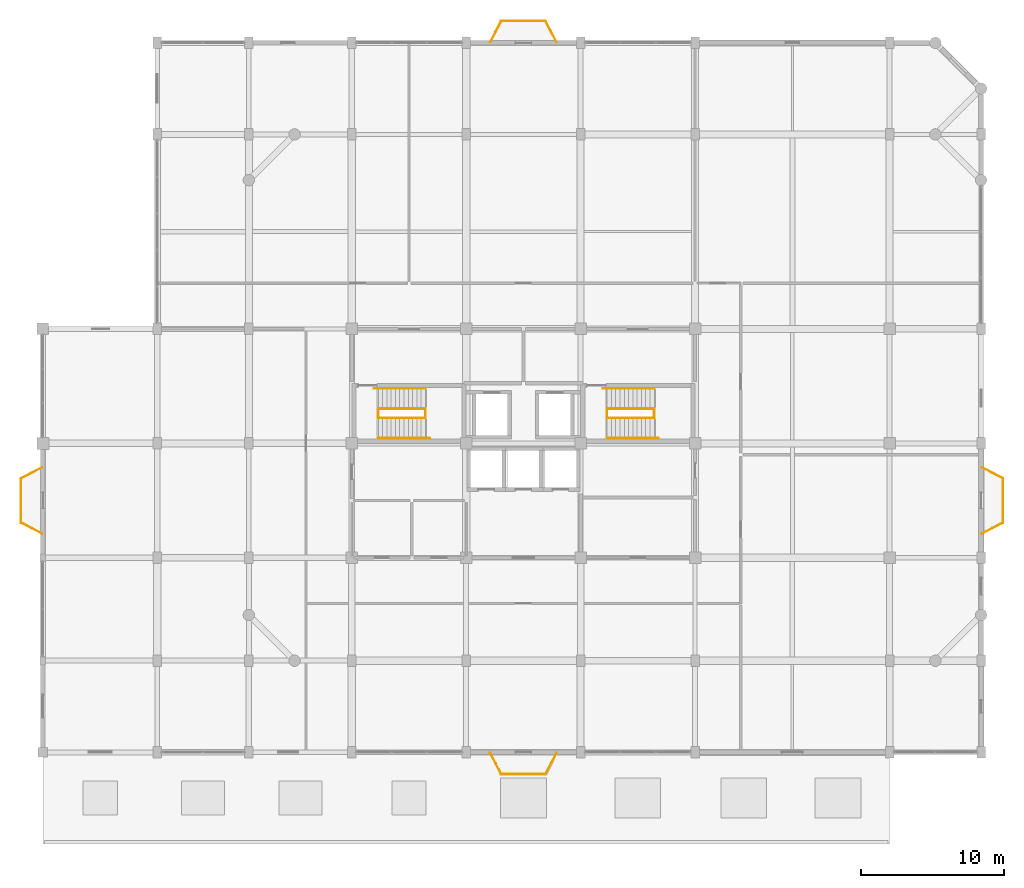
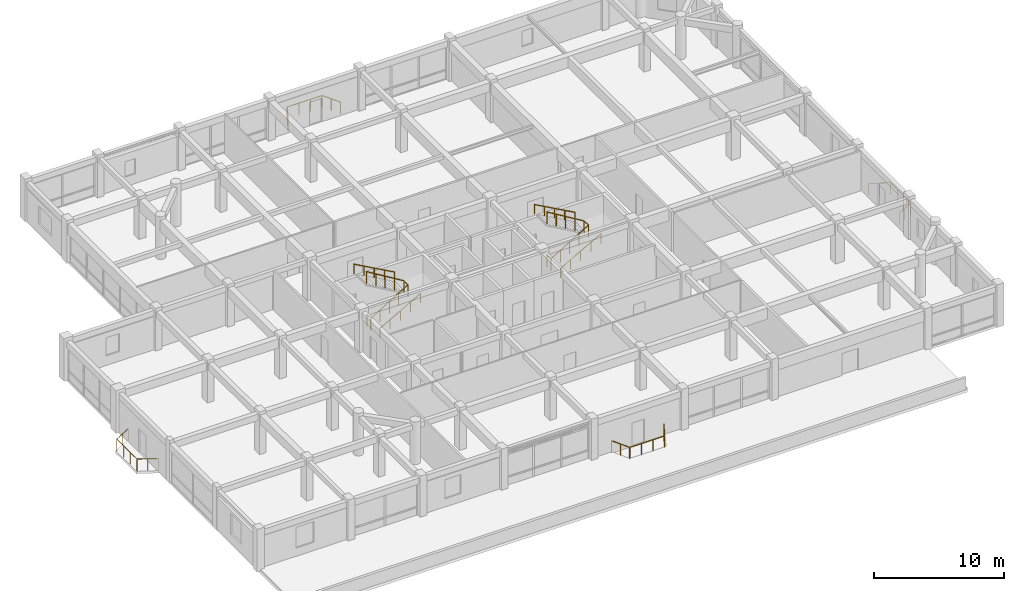
# One storey, part 20 of 20: 12 railings.
"""IFC4 building model written with IfcOpenShell, lengths in metres."""

from ifc_helpers import new_model, si_unit, direction, frame, origin, origin_2d, place, context, subcontext, project, spatial, circle, extrude, material, type_object, element, save


model = new_model("IFC4")

# Units and contexts
model_context = context("Model", 3, precision=1e-05, world=origin(), true_north=direction((0.0, 1.0)))
body_context = subcontext(model_context, "Body", "Model", "MODEL_VIEW")
ifc_project = project(units=[si_unit("LENGTHUNIT", "METRE"), si_unit("AREAUNIT", "SQUARE_METRE"), si_unit("VOLUMEUNIT", "CUBIC_METRE"), si_unit("PLANEANGLEUNIT", "RADIAN"), si_unit("MASSUNIT", "GRAM", prefix="KILO")], contexts=[model_context])

# Site, building, storey
site_placement = place(None, origin())
site = spatial("IfcSite", under=ifc_project, at=site_placement, CompositionType="ELEMENT")
building_placement = place(site_placement, origin())
building = spatial("IfcBuilding", under=site, at=building_placement, Name="Vellmiral Cinema and Media Centre", CompositionType="ELEMENT")
storey_placement = place(building_placement, frame((0.0, 0.0, 23.800048828125)))
storey = spatial("IfcBuildingStorey", under=building, at=storey_placement, Name="L05", CompositionType="ELEMENT", Elevation=23.800048828125)

# Railings
ifc_material_1 = material(Name="Forged Wrought-Iron Mirador Guardrail", Category="steel")
railing_type_1 = type_object("IfcRailingType", Name="RL-BAL-MIRA-1120", PredefinedType="BALUSTRADE", material=ifc_material_1)
railing_1_placement = place(storey_placement, frame((168.050048828125, 80.8798828125, 0.0)))
element("IfcRailing", 1, at=railing_1_placement, inside=storey, type_object=railing_type_1, Name="Mirador Balcony Guardrail L05-E", PredefinedType="BALUSTRADE", context=body_context, shape_type="SweptSolid", body=[
    extrude(circle(Radius=0.02392578125, at=origin_2d()), frame((0.0, 0.0, 1.09619140625), z_axis=(0.885822896277, 0.464023486939, 0.0), x_axis=(-0.464023486939, 0.885822896277, 0.0)), (0.0, 0.0, 1.0), 1.659423828125),
    extrude(circle(Radius=0.02392578125, at=origin_2d()), frame((1.469970703125, 0.77001953125, 1.09619140625), z_axis=(0.0, 1.0, 0.0), x_axis=(-1.0, 0.0, 0.0)), (0.0, 0.0, 1.0), 3.10009765625),
    extrude(circle(Radius=0.02392578125, at=origin_2d()), frame((1.469970703125, 3.8701171875, 1.09619140625), z_axis=(-0.885822896277, 0.464023486939, 0.0), x_axis=(-0.464023486939, -0.885822896277, 0.0)), (0.0, 0.0, 1.0), 1.659423828125),
    extrude(circle(Radius=0.02099609375, at=origin_2d()), origin(), (0.0, 0.0, 1.0), 1.072021484375),
    extrude(circle(Radius=0.02099609375, at=origin_2d()), frame((0.73486328125, 0.385009765625, 0.0)), (0.0, 0.0, 1.0), 1.072021484375),
    extrude(circle(Radius=0.02099609375, at=origin_2d()), frame((1.469970703125, 0.77001953125, 0.0)), (0.0, 0.0, 1.0), 1.072021484375),
    extrude(circle(Radius=0.02099609375, at=origin_2d()), frame((1.469970703125, 1.803466796875, 0.0)), (0.0, 0.0, 1.0), 1.072021484375),
    extrude(circle(Radius=0.02099609375, at=origin_2d()), frame((1.469970703125, 2.836669921875, 0.0)), (0.0, 0.0, 1.0), 1.072021484375),
    extrude(circle(Radius=0.02099609375, at=origin_2d()), frame((1.469970703125, 3.8701171875, 0.0)), (0.0, 0.0, 1.0), 1.072021484375),
    extrude(circle(Radius=0.02099609375, at=origin_2d()), frame((0.73486328125, 4.255126953125, 0.0)), (0.0, 0.0, 1.0), 1.072021484375),
    extrude(circle(Radius=0.02099609375, at=origin_2d()), frame((0.0, 4.64013671875, 0.0)), (0.0, 0.0, 1.0), 1.072021484375),
])
railing_2_placement = place(storey_placement, frame((138.320068359375, 115.25, 0.0)))
element("IfcRailing", 2, at=railing_2_placement, inside=storey, type_object=railing_type_1, Name="Mirador Balcony Guardrail L05-N", PredefinedType="BALUSTRADE", context=body_context, shape_type="SweptSolid", body=[
    extrude(circle(Radius=0.02392578125, at=origin_2d()), frame((0.0, 0.0, 1.09619140625), z_axis=(-0.464023486939, 0.885822896277, 0.0), x_axis=(-0.885822896277, -0.464023486939, 0.0)), (0.0, 0.0, 1.0), 1.659423828125),
    extrude(circle(Radius=0.02392578125, at=origin_2d()), frame((-0.77001953125, 1.469970703125, 1.09619140625), z_axis=(-1.0, 0.0, 0.0), x_axis=(0.0, -1.0, 0.0)), (0.0, 0.0, 1.0), 3.10009765625),
    extrude(circle(Radius=0.02392578125, at=origin_2d()), frame((-3.8701171875, 1.469970703125, 1.09619140625), z_axis=(-0.464023486939, -0.885822896277, 0.0), x_axis=(0.885822896277, -0.464023486939, 0.0)), (0.0, 0.0, 1.0), 1.659423828125),
    extrude(circle(Radius=0.02099609375, at=origin_2d()), origin(), (0.0, 0.0, 1.0), 1.072021484375),
    extrude(circle(Radius=0.02099609375, at=origin_2d()), frame((-0.385009765625, 0.73486328125, 0.0)), (0.0, 0.0, 1.0), 1.072021484375),
    extrude(circle(Radius=0.02099609375, at=origin_2d()), frame((-0.77001953125, 1.469970703125, 0.0)), (0.0, 0.0, 1.0), 1.072021484375),
    extrude(circle(Radius=0.02099609375, at=origin_2d()), frame((-1.803466796875, 1.469970703125, 0.0)), (0.0, 0.0, 1.0), 1.072021484375),
    extrude(circle(Radius=0.02099609375, at=origin_2d()), frame((-2.836669921875, 1.469970703125, 0.0)), (0.0, 0.0, 1.0), 1.072021484375),
    extrude(circle(Radius=0.02099609375, at=origin_2d()), frame((-3.8701171875, 1.469970703125, 0.0)), (0.0, 0.0, 1.0), 1.072021484375),
    extrude(circle(Radius=0.02099609375, at=origin_2d()), frame((-4.255126953125, 0.73486328125, 0.0)), (0.0, 0.0, 1.0), 1.072021484375),
    extrude(circle(Radius=0.02099609375, at=origin_2d()), frame((-4.64013671875, 0.0, 0.0)), (0.0, 0.0, 1.0), 1.072021484375),
])
railing_3_placement = place(storey_placement, frame((102.35009765625, 85.52001953125, 0.0)))
element("IfcRailing", 3, at=railing_3_placement, inside=storey, type_object=railing_type_1, Name="Mirador Balcony Guardrail L05-W", PredefinedType="BALUSTRADE", context=body_context, shape_type="SweptSolid", body=[
    extrude(circle(Radius=0.02392578125, at=origin_2d()), frame((0.0, 0.0, 1.09619140625), z_axis=(-0.885854568118, -0.463963020233, 0.0), x_axis=(0.463963020233, -0.885854568118, 0.0)), (0.0, 0.0, 1.0), 1.65966796875),
    extrude(circle(Radius=0.02392578125, at=origin_2d()), frame((-1.47021484375, -0.77001953125, 1.09619140625), z_axis=(0.0, -1.0, 0.0), x_axis=(1.0, 0.0, 0.0)), (0.0, 0.0, 1.0), 3.10009765625),
    extrude(circle(Radius=0.02392578125, at=origin_2d()), frame((-1.47021484375, -3.8701171875, 1.09619140625), z_axis=(0.885854568118, -0.463963020233, 0.0), x_axis=(0.463963020233, 0.885854568118, 0.0)), (0.0, 0.0, 1.0), 1.65966796875),
    extrude(circle(Radius=0.02099609375, at=origin_2d()), origin(), (0.0, 0.0, 1.0), 1.072021484375),
    extrude(circle(Radius=0.02099609375, at=origin_2d()), frame((-0.735107421875, -0.385009765625, 0.0)), (0.0, 0.0, 1.0), 1.072021484375),
    extrude(circle(Radius=0.02099609375, at=origin_2d()), frame((-1.47021484375, -0.77001953125, 0.0)), (0.0, 0.0, 1.0), 1.072021484375),
    extrude(circle(Radius=0.02099609375, at=origin_2d()), frame((-1.47021484375, -1.803466796875, 0.0)), (0.0, 0.0, 1.0), 1.072021484375),
    extrude(circle(Radius=0.02099609375, at=origin_2d()), frame((-1.47021484375, -2.836669921875, 0.0)), (0.0, 0.0, 1.0), 1.072021484375),
    extrude(circle(Radius=0.02099609375, at=origin_2d()), frame((-1.47021484375, -3.8701171875, 0.0)), (0.0, 0.0, 1.0), 1.072021484375),
    extrude(circle(Radius=0.02099609375, at=origin_2d()), frame((-0.735107421875, -4.255126953125, 0.0)), (0.0, 0.0, 1.0), 1.072021484375),
    extrude(circle(Radius=0.02099609375, at=origin_2d()), frame((0.0, -4.64013671875, 0.0)), (0.0, 0.0, 1.0), 1.072021484375),
])
railing_4_placement = place(storey_placement, frame((133.679931640625, 65.550048828125, 0.0)))
element("IfcRailing", 4, at=railing_4_placement, inside=storey, type_object=railing_type_1, Name="Mirador Balcony Guardrail L05-S", PredefinedType="BALUSTRADE", context=body_context, shape_type="SweptSolid", body=[
    extrude(circle(Radius=0.02392578125, at=origin_2d()), frame((0.0, 0.0, 1.09619140625), z_axis=(0.464023486939, -0.885822896277, 0.0), x_axis=(0.885822896277, 0.464023486939, 0.0)), (0.0, 0.0, 1.0), 1.659423828125),
    extrude(circle(Radius=0.02392578125, at=origin_2d()), frame((0.77001953125, -1.469970703125, 1.09619140625), z_axis=(1.0, 0.0, 0.0), x_axis=(0.0, 1.0, 0.0)), (0.0, 0.0, 1.0), 3.10009765625),
    extrude(circle(Radius=0.02392578125, at=origin_2d()), frame((3.8701171875, -1.469970703125, 1.09619140625), z_axis=(0.464023486939, 0.885822896277, 0.0), x_axis=(-0.885822896277, 0.464023486939, 0.0)), (0.0, 0.0, 1.0), 1.659423828125),
    extrude(circle(Radius=0.02099609375, at=origin_2d()), origin(), (0.0, 0.0, 1.0), 1.072021484375),
    extrude(circle(Radius=0.02099609375, at=origin_2d()), frame((0.385009765625, -0.73486328125, 0.0)), (0.0, 0.0, 1.0), 1.072021484375),
    extrude(circle(Radius=0.02099609375, at=origin_2d()), frame((0.77001953125, -1.469970703125, 0.0)), (0.0, 0.0, 1.0), 1.072021484375),
    extrude(circle(Radius=0.02099609375, at=origin_2d()), frame((1.803466796875, -1.469970703125, 0.0)), (0.0, 0.0, 1.0), 1.072021484375),
    extrude(circle(Radius=0.02099609375, at=origin_2d()), frame((2.836669921875, -1.469970703125, 0.0)), (0.0, 0.0, 1.0), 1.072021484375),
    extrude(circle(Radius=0.02099609375, at=origin_2d()), frame((3.8701171875, -1.469970703125, 0.0)), (0.0, 0.0, 1.0), 1.072021484375),
    extrude(circle(Radius=0.02099609375, at=origin_2d()), frame((4.255126953125, -0.73486328125, 0.0)), (0.0, 0.0, 1.0), 1.072021484375),
    extrude(circle(Radius=0.02099609375, at=origin_2d()), frame((4.64013671875, 0.0, 0.0)), (0.0, 0.0, 1.0), 1.072021484375),
])
ifc_material_2 = material(Name="Brushed Stainless Steel Handrail", Category="steel")
railing_type_2 = type_object("IfcRailingType", Name="RL-HANDRAIL-900", PredefinedType="HANDRAIL", material=ifc_material_2)
railing_5_placement = place(storey_placement, frame((125.85009765625, 87.56005859375, 0.16650390625)))
element("IfcRailing", 5, at=railing_5_placement, inside=storey, type_object=railing_type_2, Name="Stair Wall Handrail ST-T1 L05-1", PredefinedType="HANDRAIL", context=body_context, shape_type="SweptSolid", body=[
    extrude(circle(Radius=0.02392578125, at=origin_2d()), frame((0.0, 0.0, 0.8759765625), z_axis=(0.874148886685, 0.0, 0.485658031857), x_axis=(0.0, 1.0, 0.0)), (0.0, 0.0, 1.0), 4.1181640625),
    extrude(circle(Radius=0.02099609375, at=origin_2d()), origin(), (0.0, 0.0, 1.0), 0.851806640625),
    extrude(circle(Radius=0.02099609375, at=origin_2d()), frame((0.89990234375, 0.0, 0.5)), (0.0, 0.0, 1.0), 0.851806640625),
    extrude(circle(Radius=0.02099609375, at=origin_2d()), frame((1.7998046875, 0.0, 1.0)), (0.0, 0.0, 1.0), 0.851806640625),
    extrude(circle(Radius=0.02099609375, at=origin_2d()), frame((2.699951171875, 0.0, 1.5)), (0.0, 0.0, 1.0), 0.851806640625),
    extrude(circle(Radius=0.02099609375, at=origin_2d()), frame((3.599853515625, 0.0, 2.0)), (0.0, 0.0, 1.0), 0.851806640625),
])
railing_6_placement = place(storey_placement, frame((129.14990234375, 91.0400390625, 2.16650390625)))
element("IfcRailing", 6, at=railing_6_placement, inside=storey, type_object=railing_type_2, Name="Stair Wall Handrail ST-T1 L05-2", PredefinedType="HANDRAIL", context=body_context, shape_type="SweptSolid", body=[
    extrude(circle(Radius=0.02392578125, at=origin_2d()), frame((0.0, 0.0, 0.8759765625), z_axis=(-0.874148886685, 0.0, 0.485658031857), x_axis=(0.0, -1.0, 0.0)), (0.0, 0.0, 1.0), 4.1181640625),
    extrude(circle(Radius=0.02099609375, at=origin_2d()), origin(), (0.0, 0.0, 1.0), 0.851806640625),
    extrude(circle(Radius=0.02099609375, at=origin_2d()), frame((-0.89990234375, 0.0, 0.5)), (0.0, 0.0, 1.0), 0.851806640625),
    extrude(circle(Radius=0.02099609375, at=origin_2d()), frame((-1.7998046875, 0.0, 1.0)), (0.0, 0.0, 1.0), 0.851806640625),
    extrude(circle(Radius=0.02099609375, at=origin_2d()), frame((-2.699951171875, 0.0, 1.5)), (0.0, 0.0, 1.0), 0.851806640625),
    extrude(circle(Radius=0.02099609375, at=origin_2d()), frame((-3.599853515625, 0.0, 2.0)), (0.0, 0.0, 1.0), 0.851806640625),
])
railing_7_placement = place(storey_placement, frame((141.85009765625, 87.56005859375, 0.16650390625)))
element("IfcRailing", 7, at=railing_7_placement, inside=storey, type_object=railing_type_2, Name="Stair Wall Handrail ST-T2 L05-1", PredefinedType="HANDRAIL", context=body_context, shape_type="SweptSolid", body=[
    extrude(circle(Radius=0.02392578125, at=origin_2d()), frame((0.0, 0.0, 0.8759765625), z_axis=(0.874148886685, 0.0, 0.485658031857), x_axis=(0.0, 1.0, 0.0)), (0.0, 0.0, 1.0), 4.1181640625),
    extrude(circle(Radius=0.02099609375, at=origin_2d()), origin(), (0.0, 0.0, 1.0), 0.851806640625),
    extrude(circle(Radius=0.02099609375, at=origin_2d()), frame((0.89990234375, 0.0, 0.5)), (0.0, 0.0, 1.0), 0.851806640625),
    extrude(circle(Radius=0.02099609375, at=origin_2d()), frame((1.7998046875, 0.0, 1.0)), (0.0, 0.0, 1.0), 0.851806640625),
    extrude(circle(Radius=0.02099609375, at=origin_2d()), frame((2.699951171875, 0.0, 1.5)), (0.0, 0.0, 1.0), 0.851806640625),
    extrude(circle(Radius=0.02099609375, at=origin_2d()), frame((3.599853515625, 0.0, 2.0)), (0.0, 0.0, 1.0), 0.851806640625),
])
railing_8_placement = place(storey_placement, frame((145.14990234375, 91.0400390625, 2.16650390625)))
element("IfcRailing", 8, at=railing_8_placement, inside=storey, type_object=railing_type_2, Name="Stair Wall Handrail ST-T2 L05-2", PredefinedType="HANDRAIL", context=body_context, shape_type="SweptSolid", body=[
    extrude(circle(Radius=0.02392578125, at=origin_2d()), frame((0.0, 0.0, 0.8759765625), z_axis=(-0.874148886685, 0.0, 0.485658031857), x_axis=(0.0, -1.0, 0.0)), (0.0, 0.0, 1.0), 4.1181640625),
    extrude(circle(Radius=0.02099609375, at=origin_2d()), origin(), (0.0, 0.0, 1.0), 0.851806640625),
    extrude(circle(Radius=0.02099609375, at=origin_2d()), frame((-0.89990234375, 0.0, 0.5)), (0.0, 0.0, 1.0), 0.851806640625),
    extrude(circle(Radius=0.02099609375, at=origin_2d()), frame((-1.7998046875, 0.0, 1.0)), (0.0, 0.0, 1.0), 0.851806640625),
    extrude(circle(Radius=0.02099609375, at=origin_2d()), frame((-2.699951171875, 0.0, 1.5)), (0.0, 0.0, 1.0), 0.851806640625),
    extrude(circle(Radius=0.02099609375, at=origin_2d()), frame((-3.599853515625, 0.0, 2.0)), (0.0, 0.0, 1.0), 0.851806640625),
])
ifc_material_3 = material(Name="Painted Steel Stair Guardrail", Category="steel")
railing_type_3 = type_object("IfcRailingType", Name="RL-STAIR-GUARD-1120", PredefinedType="GUARDRAIL", material=ifc_material_3)
railing_9_placement = place(storey_placement, frame((125.85009765625, 89.580078125, 0.0)))
element("IfcRailing", 9, at=railing_9_placement, inside=storey, type_object=railing_type_3, Name="Stair Well Guard ST-T1 L05-A", PredefinedType="GUARDRAIL", context=body_context, shape_type="SweptSolid", body=[
    extrude(circle(Radius=0.02392578125, at=origin_2d()), frame((0.0, 0.0, 1.09619140625), z_axis=(0.0, -1.0, 0.0), x_axis=(1.0, 0.0, 0.0)), (0.0, 0.0, 1.0), 0.60009765625),
    extrude(circle(Radius=0.02392578125, at=origin_2d()), frame((0.0, -0.60009765625, 1.09619140625), z_axis=(0.855184233518, 0.0, 0.518324152189), x_axis=(0.0, 1.0, 0.0)), (0.0, 0.0, 1.0), 3.858642578125),
    extrude(circle(Radius=0.02392578125, at=origin_2d()), frame((3.2998046875, -0.60009765625, 3.09619140625), z_axis=(0.0, 1.0, 0.0), x_axis=(-1.0, 0.0, 0.0)), (0.0, 0.0, 1.0), 0.64013671875),
    extrude(circle(Radius=0.02099609375, at=origin_2d()), origin(), (0.0, 0.0, 1.0), 1.072021484375),
    extrude(circle(Radius=0.02099609375, at=origin_2d()), frame((0.0, -0.60009765625, 0.0)), (0.0, 0.0, 1.0), 1.072021484375),
    extrude(circle(Radius=0.02099609375, at=origin_2d()), frame((0.824951171875, -0.60009765625, 0.5)), (0.0, 0.0, 1.0), 1.072021484375),
    extrude(circle(Radius=0.02099609375, at=origin_2d()), frame((1.64990234375, -0.60009765625, 1.0)), (0.0, 0.0, 1.0), 1.072021484375),
    extrude(circle(Radius=0.02099609375, at=origin_2d()), frame((2.474853515625, -0.60009765625, 1.5)), (0.0, 0.0, 1.0), 1.072021484375),
    extrude(circle(Radius=0.02099609375, at=origin_2d()), frame((3.2998046875, -0.60009765625, 2.0)), (0.0, 0.0, 1.0), 1.072021484375),
    extrude(circle(Radius=0.02099609375, at=origin_2d()), frame((3.2998046875, 0.0400390625, 2.0)), (0.0, 0.0, 1.0), 1.072021484375),
])
railing_10_placement = place(storey_placement, frame((129.14990234375, 89.6201171875, 2.0)))
element("IfcRailing", 10, at=railing_10_placement, inside=storey, type_object=railing_type_3, Name="Stair Well Guard ST-T1 L05-B", PredefinedType="GUARDRAIL", context=body_context, shape_type="SweptSolid", body=[
    extrude(circle(Radius=0.02392578125, at=origin_2d()), frame((0.0, 0.0, 1.09619140625), z_axis=(-0.855184233518, 0.0, 0.518324152189), x_axis=(0.0, -1.0, 0.0)), (0.0, 0.0, 1.0), 3.858642578125),
    extrude(circle(Radius=0.02099609375, at=origin_2d()), origin(), (0.0, 0.0, 1.0), 1.072021484375),
    extrude(circle(Radius=0.02099609375, at=origin_2d()), frame((-0.824951171875, 0.0, 0.5)), (0.0, 0.0, 1.0), 1.072021484375),
    extrude(circle(Radius=0.02099609375, at=origin_2d()), frame((-1.64990234375, 0.0, 1.0)), (0.0, 0.0, 1.0), 1.072021484375),
    extrude(circle(Radius=0.02099609375, at=origin_2d()), frame((-2.474853515625, 0.0, 1.5)), (0.0, 0.0, 1.0), 1.072021484375),
    extrude(circle(Radius=0.02099609375, at=origin_2d()), frame((-3.2998046875, 0.0, 2.0)), (0.0, 0.0, 1.0), 1.072021484375),
])
railing_11_placement = place(storey_placement, frame((141.85009765625, 89.580078125, 0.0)))
element("IfcRailing", 11, at=railing_11_placement, inside=storey, type_object=railing_type_3, Name="Stair Well Guard ST-T2 L05-A", PredefinedType="GUARDRAIL", context=body_context, shape_type="SweptSolid", body=[
    extrude(circle(Radius=0.02392578125, at=origin_2d()), frame((0.0, 0.0, 1.09619140625), z_axis=(0.0, -1.0, 0.0), x_axis=(1.0, 0.0, 0.0)), (0.0, 0.0, 1.0), 0.60009765625),
    extrude(circle(Radius=0.02392578125, at=origin_2d()), frame((0.0, -0.60009765625, 1.09619140625), z_axis=(0.855184233518, 0.0, 0.518324152189), x_axis=(0.0, 1.0, 0.0)), (0.0, 0.0, 1.0), 3.858642578125),
    extrude(circle(Radius=0.02392578125, at=origin_2d()), frame((3.2998046875, -0.60009765625, 3.09619140625), z_axis=(0.0, 1.0, 0.0), x_axis=(-1.0, 0.0, 0.0)), (0.0, 0.0, 1.0), 0.64013671875),
    extrude(circle(Radius=0.02099609375, at=origin_2d()), origin(), (0.0, 0.0, 1.0), 1.072021484375),
    extrude(circle(Radius=0.02099609375, at=origin_2d()), frame((0.0, -0.60009765625, 0.0)), (0.0, 0.0, 1.0), 1.072021484375),
    extrude(circle(Radius=0.02099609375, at=origin_2d()), frame((0.824951171875, -0.60009765625, 0.5)), (0.0, 0.0, 1.0), 1.072021484375),
    extrude(circle(Radius=0.02099609375, at=origin_2d()), frame((1.64990234375, -0.60009765625, 1.0)), (0.0, 0.0, 1.0), 1.072021484375),
    extrude(circle(Radius=0.02099609375, at=origin_2d()), frame((2.474853515625, -0.60009765625, 1.5)), (0.0, 0.0, 1.0), 1.072021484375),
    extrude(circle(Radius=0.02099609375, at=origin_2d()), frame((3.2998046875, -0.60009765625, 2.0)), (0.0, 0.0, 1.0), 1.072021484375),
    extrude(circle(Radius=0.02099609375, at=origin_2d()), frame((3.2998046875, 0.0400390625, 2.0)), (0.0, 0.0, 1.0), 1.072021484375),
])
railing_12_placement = place(storey_placement, frame((145.14990234375, 89.6201171875, 2.0)))
element("IfcRailing", 12, at=railing_12_placement, inside=storey, type_object=railing_type_3, Name="Stair Well Guard ST-T2 L05-B", PredefinedType="GUARDRAIL", context=body_context, shape_type="SweptSolid", body=[
    extrude(circle(Radius=0.02392578125, at=origin_2d()), frame((0.0, 0.0, 1.09619140625), z_axis=(-0.855184233518, 0.0, 0.518324152189), x_axis=(0.0, -1.0, 0.0)), (0.0, 0.0, 1.0), 3.858642578125),
    extrude(circle(Radius=0.02099609375, at=origin_2d()), origin(), (0.0, 0.0, 1.0), 1.072021484375),
    extrude(circle(Radius=0.02099609375, at=origin_2d()), frame((-0.824951171875, 0.0, 0.5)), (0.0, 0.0, 1.0), 1.072021484375),
    extrude(circle(Radius=0.02099609375, at=origin_2d()), frame((-1.64990234375, 0.0, 1.0)), (0.0, 0.0, 1.0), 1.072021484375),
    extrude(circle(Radius=0.02099609375, at=origin_2d()), frame((-2.474853515625, 0.0, 1.5)), (0.0, 0.0, 1.0), 1.072021484375),
    extrude(circle(Radius=0.02099609375, at=origin_2d()), frame((-3.2998046875, 0.0, 2.0)), (0.0, 0.0, 1.0), 1.072021484375),
])

save(model, "model.ifc")
